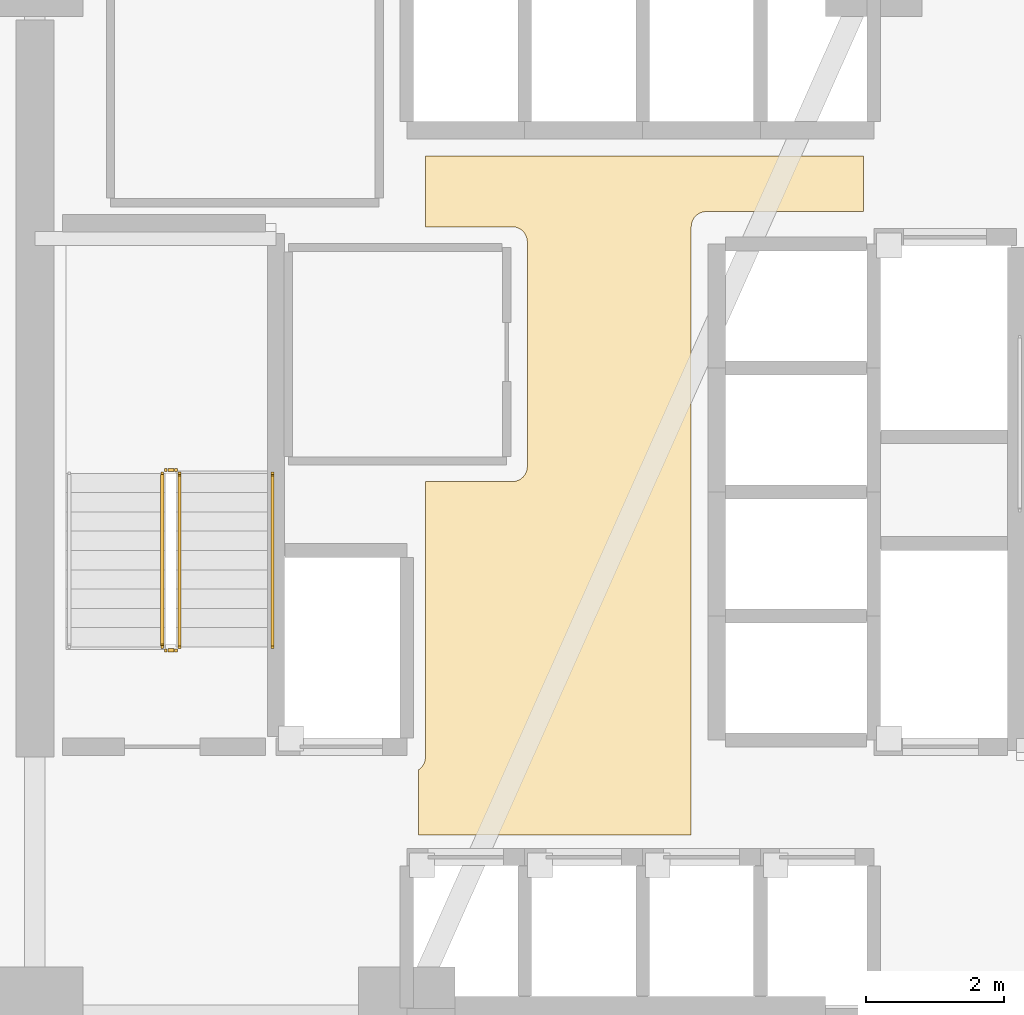
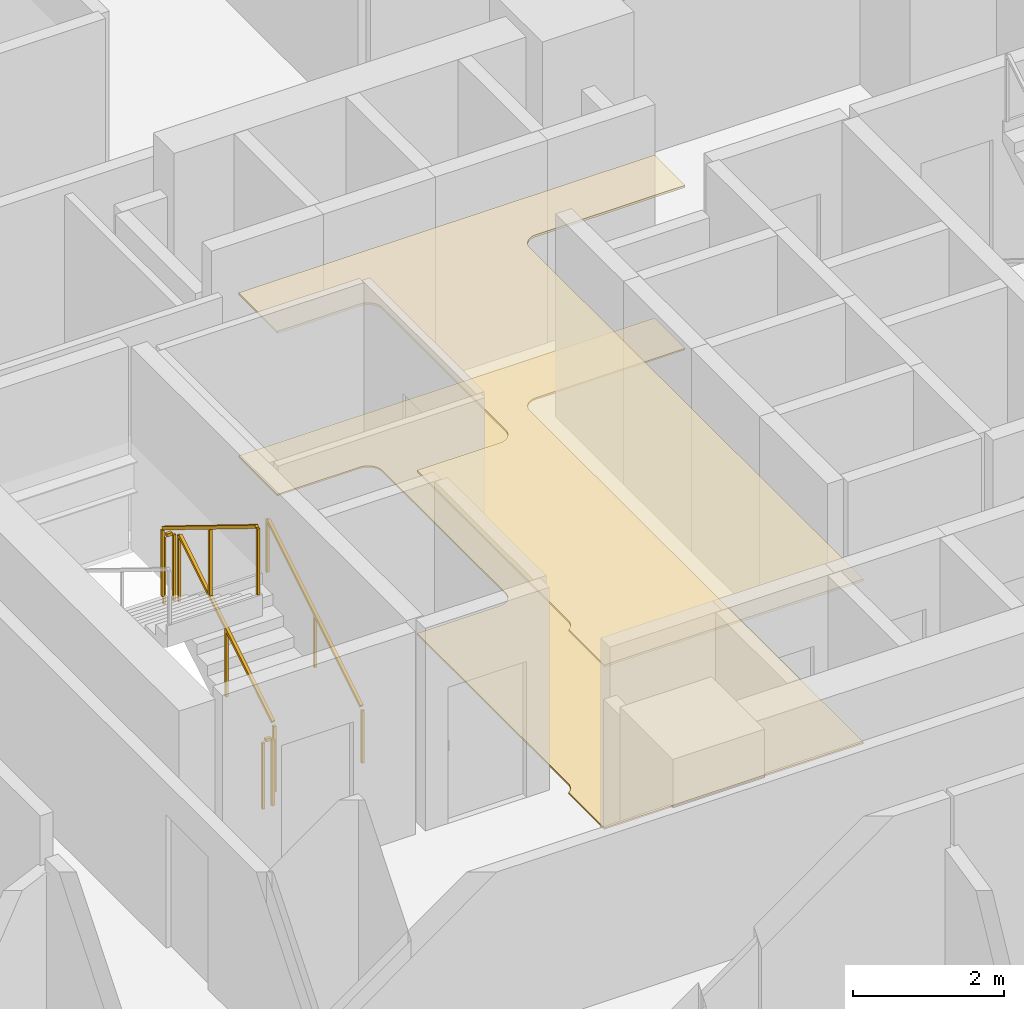
# One storey, part 12 of 15: 5 railings, 2 coverings.
"""IFC4 building model written with IfcOpenShell, lengths in metres."""

from ifc_helpers import new_model, si_unit, direction, frame, origin, origin_2d, place, context, subcontext, project, spatial, polyline, rectangle, outline, extrude, material, layer, layer_set, type_object, element, save


model = new_model("IFC4")

# Units and contexts
model_context = context("Model", 3, precision=1e-05, world=origin(), true_north=direction((0.0, 1.0)))
body_context = subcontext(model_context, "Body", "Model", "MODEL_VIEW")
ifc_project = project(units=[si_unit("LENGTHUNIT", "METRE"), si_unit("AREAUNIT", "SQUARE_METRE"), si_unit("VOLUMEUNIT", "CUBIC_METRE"), si_unit("PLANEANGLEUNIT", "RADIAN"), si_unit("MASSUNIT", "GRAM", prefix="KILO")], contexts=[model_context])

# Site, building, storey
site_placement = place(None, origin())
site = spatial("IfcSite", under=ifc_project, at=site_placement, CompositionType="ELEMENT")
building_placement = place(site_placement, origin())
building = spatial("IfcBuilding", under=site, at=building_placement, Name="Tharavind Bronze Gate", CompositionType="ELEMENT")
storey_placement = place(building_placement, frame((0.0, 0.0, 74.199951171875)))
storey = spatial("IfcBuildingStorey", under=building, at=storey_placement, Name="L18", CompositionType="ELEMENT", Elevation=74.199951171875)

# Coverings
ifc_material_1 = material(Name="Perforated Bronze Acoustic Panel", Category="bronze")
ifc_layer_1 = layer(ifc_material_1, 0.044921875)
ifc_layer_set_1 = layer_set([ifc_layer_1], Name="Perforated Bronze Acoustic Panel")
covering_type_1 = type_object("IfcCoveringType", Name="ACOUSTIC BRONZE BAFFLE CEILING", PredefinedType="CEILING", material=ifc_layer_set_1)
covering_1_placement = place(storey_placement, frame((0.0, 0.0, 2.625)))
element("IfcCovering", 1, at=covering_1_placement, inside=storey, type_object=covering_type_1, Name="L18-C-LL suspended ceiling", PredefinedType="CEILING", context=body_context, shape_type="SweptSolid", body=[
    extrude(outline(polyline([(-3.330078125, -4.97998046875), (0.6298828125, -4.97998046875), (0.6298828125, 3.85009765625), (0.631103515625, 3.87158203125), (0.63427734375, 3.892822265625), (0.639404296875, 3.913818359375), (0.646728515625, 3.93408203125), (0.656005859375, 3.95361328125), (0.6669921875, 3.97216796875), (0.679931640625, 3.989501953125), (0.6943359375, 4.005615234375), (0.71044921875, 4.02001953125), (0.727783203125, 4.032958984375), (0.746337890625, 4.0439453125), (0.765869140625, 4.05322265625), (0.7861328125, 4.060546875), (0.80712890625, 4.06591796875), (0.828369140625, 4.06884765625), (0.85009765625, 4.070068359375), (3.1298828125, 4.070068359375), (3.1298828125, 4.8798828125), (-3.22998046875, 4.8798828125), (-3.22998046875, 3.85009765625), (-1.969970703125, 3.85009765625), (-1.948486328125, 3.848876953125), (-1.927001953125, 3.845703125), (-1.906005859375, 3.840576171875), (-1.8857421875, 3.833251953125), (-1.8662109375, 3.823974609375), (-1.847900390625, 3.81298828125), (-1.830322265625, 3.800048828125), (-1.814453125, 3.78564453125), (-1.7998046875, 3.76953125), (-1.787109375, 3.752197265625), (-1.77587890625, 3.733642578125), (-1.7666015625, 3.714111328125), (-1.759521484375, 3.69384765625), (-1.754150390625, 3.6728515625), (-1.751220703125, 3.651611328125), (-1.75, 3.6298828125), (-1.75, 0.3701171875), (-1.751220703125, 0.348388671875), (-1.754150390625, 0.3271484375), (-1.759521484375, 0.30615234375), (-1.7666015625, 0.285888671875), (-1.77587890625, 0.266357421875), (-1.787109375, 0.247802734375), (-1.7998046875, 0.23046875), (-1.814453125, 0.21435546875), (-1.830322265625, 0.199951171875), (-1.847900390625, 0.18701171875), (-1.8662109375, 0.176025390625), (-1.8857421875, 0.166748046875), (-1.906005859375, 0.159423828125), (-1.927001953125, 0.154296875), (-1.948486328125, 0.151123046875), (-1.969970703125, 0.14990234375), (-3.22998046875, 0.14990234375), (-3.22998046875, -3.85009765625), (-3.231201171875, -3.87158203125), (-3.234130859375, -3.892822265625), (-3.239501953125, -3.913818359375), (-3.24658203125, -3.93408203125), (-3.256103515625, -3.95361328125), (-3.26708984375, -3.97216796875), (-3.27978515625, -3.989501953125), (-3.29443359375, -4.005615234375), (-3.310302734375, -4.02001953125), (-3.327880859375, -4.032958984375), (-3.330078125, -4.0341796875), (-3.330078125, -4.97998046875)])), origin(), (0.0, 0.0, 1.0), 0.03515625),
])
ifc_material_2 = material(Name="Honed Travertine Limestone", Category="masonry")
ifc_layer_2 = layer(ifc_material_2, 0.030029296875)
ifc_layer_set_2 = layer_set([ifc_layer_2], Name="Honed Travertine Limestone")
covering_type_2 = type_object("IfcCoveringType", Name="HONED LIMESTONE FLOORING", PredefinedType="FLOORING", material=ifc_layer_set_2)
covering_2_placement = place(storey_placement, origin())
element("IfcCovering", 2, at=covering_2_placement, inside=storey, type_object=covering_type_2, Name="L18-C-LL floor finish", PredefinedType="FLOORING", context=body_context, shape_type="SweptSolid", body=[
    extrude(outline(polyline([(-3.330078125, -4.97998046875), (0.6298828125, -4.97998046875), (0.6298828125, 3.85009765625), (0.631103515625, 3.87158203125), (0.63427734375, 3.892822265625), (0.639404296875, 3.913818359375), (0.646728515625, 3.93408203125), (0.656005859375, 3.95361328125), (0.6669921875, 3.97216796875), (0.679931640625, 3.989501953125), (0.6943359375, 4.005615234375), (0.71044921875, 4.02001953125), (0.727783203125, 4.032958984375), (0.746337890625, 4.0439453125), (0.765869140625, 4.05322265625), (0.7861328125, 4.060546875), (0.80712890625, 4.06591796875), (0.828369140625, 4.06884765625), (0.85009765625, 4.070068359375), (3.1298828125, 4.070068359375), (3.1298828125, 4.8798828125), (-3.22998046875, 4.8798828125), (-3.22998046875, 3.85009765625), (-1.969970703125, 3.85009765625), (-1.948486328125, 3.848876953125), (-1.927001953125, 3.845703125), (-1.906005859375, 3.840576171875), (-1.8857421875, 3.833251953125), (-1.8662109375, 3.823974609375), (-1.847900390625, 3.81298828125), (-1.830322265625, 3.800048828125), (-1.814453125, 3.78564453125), (-1.7998046875, 3.76953125), (-1.787109375, 3.752197265625), (-1.77587890625, 3.733642578125), (-1.7666015625, 3.714111328125), (-1.759521484375, 3.69384765625), (-1.754150390625, 3.6728515625), (-1.751220703125, 3.651611328125), (-1.75, 3.6298828125), (-1.75, 0.3701171875), (-1.751220703125, 0.348388671875), (-1.754150390625, 0.3271484375), (-1.759521484375, 0.30615234375), (-1.7666015625, 0.285888671875), (-1.77587890625, 0.266357421875), (-1.787109375, 0.247802734375), (-1.7998046875, 0.23046875), (-1.814453125, 0.21435546875), (-1.830322265625, 0.199951171875), (-1.847900390625, 0.18701171875), (-1.8662109375, 0.176025390625), (-1.8857421875, 0.166748046875), (-1.906005859375, 0.159423828125), (-1.927001953125, 0.154296875), (-1.948486328125, 0.151123046875), (-1.969970703125, 0.14990234375), (-3.22998046875, 0.14990234375), (-3.22998046875, -3.85009765625), (-3.231201171875, -3.87158203125), (-3.234130859375, -3.892822265625), (-3.239501953125, -3.913818359375), (-3.24658203125, -3.93408203125), (-3.256103515625, -3.95361328125), (-3.26708984375, -3.97216796875), (-3.27978515625, -3.989501953125), (-3.29443359375, -4.005615234375), (-3.310302734375, -4.02001953125), (-3.327880859375, -4.032958984375), (-3.330078125, -4.0341796875), (-3.330078125, -4.97998046875)])), origin(), (0.0, 0.0, 1.0), 0.025146484375),
])

# Railings
ifc_material_3 = material(Name="Brushed Bronze Alloy", Category="metal")
railing_type_1 = type_object("IfcRailingType", Name="STAIR BRONZE HANDRAIL 900", PredefinedType="HANDRAIL", material=ifc_material_3)
railing_1_placement = place(storey_placement, frame((-5.449951171875, -2.25, 0.172607421875)))
element("IfcRailing", 3, at=railing_1_placement, inside=storey, type_object=railing_type_1, Name="L18 ST1 stair handrail 1", PredefinedType="HANDRAIL", context=body_context, shape_type="SweptSolid", body=[
    extrude(rectangle(XDim=0.048095703125, YDim=0.048095703125, at=origin_2d()), frame((0.0, 0.02734375, 0.892578125), z_axis=(0.0, 0.851400495292, 0.524516154772), x_axis=(-1.0, 0.0, 0.0)), (0.0, 0.0, 1.0), 2.895751953125),
    extrude(rectangle(XDim=0.0400390625, YDim=0.0400390625, at=origin_2d()), origin(), (0.0, 0.0, 1.0), 0.847900390625),
    extrude(rectangle(XDim=0.0400390625, YDim=0.0400390625, at=origin_2d()), frame((0.0, 1.260009765625, 0.7763671875)), (0.0, 0.0, 1.0), 0.847900390625),
    extrude(rectangle(XDim=0.0400390625, YDim=0.0400390625, at=origin_2d()), frame((0.0, 2.52001953125, 1.552490234375)), (0.0, 0.0, 1.0), 0.847900390625),
])
railing_type_2 = type_object("IfcRailingType", Name="STAIR WELL GUARD RAILING 1120", PredefinedType="GUARDRAIL", material=ifc_material_3)
railing_2_placement = place(storey_placement, frame((-6.800048828125, -2.25, 0.172607421875)))
element("IfcRailing", 4, at=railing_2_placement, inside=storey, type_object=railing_type_2, Name="L18 ST1 stair guard 1", PredefinedType="GUARDRAIL", context=body_context, shape_type="SweptSolid", body=[
    extrude(rectangle(XDim=0.048095703125, YDim=0.048095703125, at=origin_2d()), frame((0.0, 0.02734375, 1.11279296875), z_axis=(0.0, 0.851400495292, 0.524516154772), x_axis=(-1.0, 0.0, 0.0)), (0.0, 0.0, 1.0), 2.895751953125),
    extrude(rectangle(XDim=0.0400390625, YDim=0.0400390625, at=origin_2d()), origin(), (0.0, 0.0, 1.0), 1.068115234375),
    extrude(rectangle(XDim=0.0400390625, YDim=0.0400390625, at=origin_2d()), frame((0.0, 1.260009765625, 0.7763671875)), (0.0, 0.0, 1.0), 1.068115234375),
    extrude(rectangle(XDim=0.0400390625, YDim=0.0400390625, at=origin_2d()), frame((0.0, 2.52001953125, 1.552490234375)), (0.0, 0.0, 1.0), 1.068115234375),
])
railing_3_placement = place(storey_placement, frame((-6.85009765625, 0.320068359375, 1.72509765625)))
element("IfcRailing", 5, at=railing_3_placement, inside=storey, type_object=railing_type_2, Name="L18 ST1 stair guard 2", PredefinedType="GUARDRAIL", context=body_context, shape_type="SweptSolid", body=[
    extrude(rectangle(XDim=0.048095703125, YDim=0.048095703125, at=origin_2d()), frame((-0.031982421875, 0.0, 1.09619140625), z_axis=(-1.0, 0.0, 0.0), x_axis=(0.0, -1.0, 0.0)), (0.0, 0.0, 1.0), 0.0859375),
    extrude(rectangle(XDim=0.0400390625, YDim=0.0400390625, at=origin_2d()), origin(), (0.0, 0.0, 1.0), 1.068115234375),
    extrude(rectangle(XDim=0.0400390625, YDim=0.0400390625, at=origin_2d()), frame((-0.14990234375, 0.0, 0.0)), (0.0, 0.0, 1.0), 1.068115234375),
])
railing_4_placement = place(storey_placement, frame((-7.050048828125, 0.27001953125, 1.8974609375)))
element("IfcRailing", 6, at=railing_4_placement, inside=storey, type_object=railing_type_2, Name="L18 ST1 stair guard 3", PredefinedType="GUARDRAIL", context=body_context, shape_type="SweptSolid", body=[
    extrude(rectangle(XDim=0.048095703125, YDim=0.048095703125, at=origin_2d()), frame((0.0, -0.02734375, 1.11279296875), z_axis=(0.0, -0.851400495292, 0.524516154772), x_axis=(1.0, 0.0, 0.0)), (0.0, 0.0, 1.0), 2.895751953125),
    extrude(rectangle(XDim=0.0400390625, YDim=0.0400390625, at=origin_2d()), origin(), (0.0, 0.0, 1.0), 1.068115234375),
    extrude(rectangle(XDim=0.0400390625, YDim=0.0400390625, at=origin_2d()), frame((0.0, -1.260009765625, 0.7763671875)), (0.0, 0.0, 1.0), 1.068115234375),
    extrude(rectangle(XDim=0.0400390625, YDim=0.0400390625, at=origin_2d()), frame((0.0, -2.52001953125, 1.552490234375)), (0.0, 0.0, 1.0), 1.068115234375),
])
railing_5_placement = place(storey_placement, frame((-6.85009765625, -2.300048828125, 0.0)))
element("IfcRailing", 7, at=railing_5_placement, inside=storey, type_object=railing_type_2, Name="L18 ST1 stair guard 4", PredefinedType="GUARDRAIL", context=body_context, shape_type="SweptSolid", body=[
    extrude(rectangle(XDim=0.048095703125, YDim=0.048095703125, at=origin_2d()), frame((-0.031982421875, 0.0, 1.09619140625), z_axis=(-1.0, 0.0, 0.0), x_axis=(0.0, -1.0, 0.0)), (0.0, 0.0, 1.0), 0.0859375),
    extrude(rectangle(XDim=0.0400390625, YDim=0.0400390625, at=origin_2d()), origin(), (0.0, 0.0, 1.0), 1.068115234375),
    extrude(rectangle(XDim=0.0400390625, YDim=0.0400390625, at=origin_2d()), frame((-0.14990234375, 0.0, 0.0)), (0.0, 0.0, 1.0), 1.068115234375),
])

save(model, "model.ifc")
